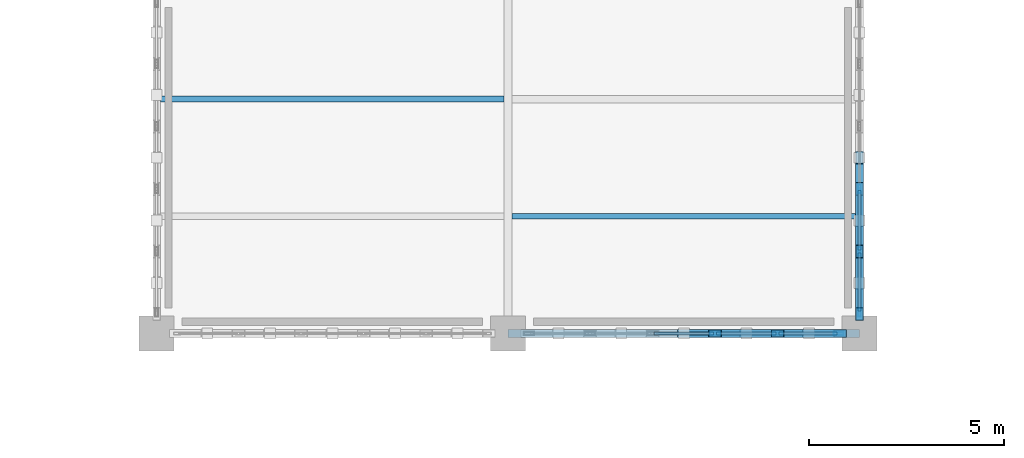
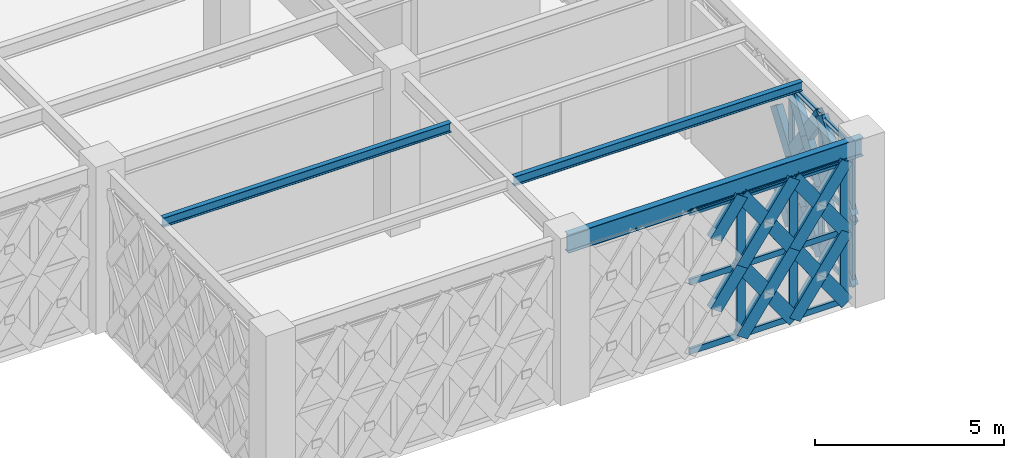
# One storey, part 15 of 155: 49 members, 3 beams, 2 elements without a shape of their own.
"""IFC4 building model written with IfcOpenShell, lengths in metres."""

from ifc_helpers import new_model, si_unit, direction, frame, origin, origin_2d, place, context, subcontext, project, spatial, hollow_rectangle, i_section, extrude, material, material_profile, profile_set, type_object, element, aggregate, save


model = new_model("IFC4")

# Units and contexts
model_context = context("Model", 3, precision=1e-05, world=origin(), true_north=direction((0.0, 1.0)))
body_context = subcontext(model_context, "Body", "Model", "MODEL_VIEW")
ifc_project = project(units=[si_unit("LENGTHUNIT", "METRE"), si_unit("AREAUNIT", "SQUARE_METRE"), si_unit("VOLUMEUNIT", "CUBIC_METRE"), si_unit("PLANEANGLEUNIT", "RADIAN"), si_unit("MASSUNIT", "GRAM", prefix="KILO")], contexts=[model_context])

# Site, building, storey
site_placement = place(None, origin())
site = spatial("IfcSite", under=ifc_project, at=site_placement, CompositionType="ELEMENT")
building_placement = place(site_placement, origin())
building = spatial("IfcBuilding", under=site, at=building_placement, Name="Haizhuo Lancet Aquarium", CompositionType="ELEMENT")
storey_placement = place(building_placement, frame((0.0, 0.0, 10.800048828125)))
storey = spatial("IfcBuildingStorey", under=building, at=storey_placement, Name="L02", CompositionType="ELEMENT", Elevation=10.800048828125)

# Beam
ifc_material_1 = material(Name="Steel S355", Category="steel")
ifc_material_profile_1 = material_profile(ifc_material_1, i_section(OverallWidth=0.199951171875, OverallDepth=0.60009765625, WebThickness=0.010986328125, FlangeThickness=0.01708984375, FilletRadius=0.02197265625, at=origin_2d()), Name="HN 600x200x11x17")
ifc_profile_set_1 = profile_set([ifc_material_profile_1], Name="Steel S355")
beam_type_1 = type_object("IfcBeamType", Name="BM-ST-HN600", PredefinedType="BEAM", material=ifc_profile_set_1)
beam_placement = place(storey_placement, frame((-45.0, -36.0, 4.85986328125), z_axis=(1.0, 0.0, 0.0), x_axis=(0.0, 1.0, 0.0)))
element("IfcBeam", 1, at=beam_placement, inside=storey, type_object=beam_type_1, Name="L02 V6 primary girder BM-L02-V6-022", PredefinedType="BEAM", context=body_context, shape_type="SweptSolid", body=[
    extrude(i_section(OverallWidth=0.199951171875, OverallDepth=0.60009765625, WebThickness=0.010986328125, FlangeThickness=0.01708984375, FilletRadius=0.02197265625, at=origin_2d()), origin(), (0.0, 0.0, 1.0), 9.0),
])

# Curtain wall, members
ifc_material_2 = material(Name="Aluminium 6063-T6", Category="aluminium")
curtain_wall_type = type_object("IfcCurtainWallType", Name="CWD-8010x4560", PredefinedType="NOTDEFINED", material=ifc_material_2)
curtain_wall_1_placement = place(storey_placement, origin())
curtain_wall_1 = element("IfcCurtainWall", 2, at=curtain_wall_1_placement, inside=storey, type_object=curtain_wall_type, Name="L02 curtain wall CW-V6-L02-221", PredefinedType="NOTDEFINED")
ifc_material_profile_2 = material_profile(ifc_material_2, hollow_rectangle(XDim=0.074951171875, YDim=0.219970703125, WallThickness=0.0048828125, at=origin_2d()), Name="ALU-M 75x220x5")
ifc_profile_set_2 = profile_set([ifc_material_profile_2], Name="Aluminium 6063-T6")
member_type_1 = type_object("IfcMemberType", Name="CW-MUL-2", PredefinedType="MULLION", material=ifc_profile_set_2)
member_1_placement = place(storey_placement, frame((-36.0, -32.301025390625, 0.0), z_axis=(0.0, 0.0, 1.0), x_axis=(1.0, 0.0, 0.0)))
member_1 = element("IfcMember", 3, at=member_1_placement, type_object=member_type_1, Name="CWD-80x45 mullion 4", PredefinedType="MULLION", context=body_context, shape_type="SweptSolid", body=[
    extrude(hollow_rectangle(XDim=0.074951171875, YDim=0.219970703125, WallThickness=0.0048828125, at=origin_2d()), origin(), (0.0, 0.0, 1.0), 4.56005859375),
])
member_2_placement = place(storey_placement, frame((-36.0, -33.903076171875, 0.0), z_axis=(0.0, 0.0, 1.0), x_axis=(1.0, 0.0, 0.0)))
member_2 = element("IfcMember", 4, at=member_2_placement, type_object=member_type_1, Name="CWD-80x45 mullion 5", PredefinedType="MULLION", context=body_context, shape_type="SweptSolid", body=[
    extrude(hollow_rectangle(XDim=0.074951171875, YDim=0.219970703125, WallThickness=0.0048828125, at=origin_2d()), origin(), (0.0, 0.0, 1.0), 4.56005859375),
])
member_3_placement = place(storey_placement, frame((-36.0, -35.468017578125, 0.0), z_axis=(0.0, 0.0, 1.0), x_axis=(1.0, 0.0, 0.0)))
member_3 = element("IfcMember", 5, at=member_3_placement, type_object=member_type_1, Name="CWD-80x45 mullion 6", PredefinedType="MULLION", context=body_context, shape_type="SweptSolid", body=[
    extrude(hollow_rectangle(XDim=0.074951171875, YDim=0.219970703125, WallThickness=0.0048828125, at=origin_2d()), origin(), (0.0, 0.0, 1.0), 4.56005859375),
])

curtain_wall_2_placement = place(storey_placement, origin())
curtain_wall_2 = element("IfcCurtainWall", 6, at=curtain_wall_2_placement, inside=storey, type_object=curtain_wall_type, Name="L02 curtain wall CW-V6-L02-222", PredefinedType="NOTDEFINED")
ifc_material_profile_3 = material_profile(ifc_material_2, hollow_rectangle(XDim=0.080078125, YDim=0.260009765625, WallThickness=0.0048828125, at=origin_2d()), Name="ALU-M 80x260x5")
ifc_profile_set_3 = profile_set([ifc_material_profile_3], Name="Aluminium 6063-T6")
member_type_2 = type_object("IfcMemberType", Name="CW-MUL-3", PredefinedType="MULLION", material=ifc_profile_set_3)
member_4_placement = place(storey_placement, frame((-36.534912109375, -36.0, 0.0), z_axis=(0.0, 0.0, 1.0), x_axis=(0.0, -1.0, 0.0)))
member_4 = element("IfcMember", 7, at=member_4_placement, type_object=member_type_2, Name="CWD-80x45 mullion 1", PredefinedType="MULLION", context=body_context, shape_type="SweptSolid", body=[
    extrude(hollow_rectangle(XDim=0.080078125, YDim=0.260009765625, WallThickness=0.0048828125, at=origin_2d()), origin(), (0.0, 0.0, 1.0), 4.56005859375),
])
member_5_placement = place(storey_placement, frame((-38.096923828125, -36.0, 0.0), z_axis=(0.0, 0.0, 1.0), x_axis=(0.0, -1.0, 0.0)))
member_5 = element("IfcMember", 8, at=member_5_placement, type_object=member_type_2, Name="CWD-80x45 mullion 2", PredefinedType="MULLION", context=body_context, shape_type="SweptSolid", body=[
    extrude(hollow_rectangle(XDim=0.080078125, YDim=0.260009765625, WallThickness=0.0048828125, at=origin_2d()), origin(), (0.0, 0.0, 1.0), 4.56005859375),
])
member_6_placement = place(storey_placement, frame((-39.698974609375, -36.0, 0.0), z_axis=(0.0, 0.0, 1.0), x_axis=(0.0, -1.0, 0.0)))
member_6 = element("IfcMember", 9, at=member_6_placement, type_object=member_type_2, Name="CWD-80x45 mullion 3", PredefinedType="MULLION", context=body_context, shape_type="SweptSolid", body=[
    extrude(hollow_rectangle(XDim=0.080078125, YDim=0.260009765625, WallThickness=0.0048828125, at=origin_2d()), origin(), (0.0, 0.0, 1.0), 4.56005859375),
])

# Member
ifc_material_profile_4 = material_profile(ifc_material_2, hollow_rectangle(XDim=0.074951171875, YDim=0.159912109375, WallThickness=0.00390625, at=origin_2d()), Name="ALU-T 75x160x4")
ifc_profile_set_4 = profile_set([ifc_material_profile_4], Name="Aluminium 6063-T6")
member_type_3 = type_object("IfcMemberType", Name="CW-TRN-2", PredefinedType="NOTDEFINED", material=ifc_profile_set_4)
member_7_placement = place(storey_placement, frame((-36.0, -32.339111328125, 0.037841796875), z_axis=(0.0, -1.0, 0.0), x_axis=(1.0, 0.0, 0.0)))
member_7 = element("IfcMember", 10, at=member_7_placement, type_object=member_type_3, Name="CWD-80x45 transom 4.1", ObjectType="TRANSOM", PredefinedType="USERDEFINED", context=body_context, shape_type="SweptSolid", body=[
    extrude(hollow_rectangle(XDim=0.074951171875, YDim=0.159912109375, WallThickness=0.00390625, at=origin_2d()), origin(), (0.0, 0.0, 1.0), 1.52685546875),
])

member_8_placement = place(storey_placement, frame((-36.0, -32.339111328125, 2.280029296875), z_axis=(0.0, -1.0, 0.0), x_axis=(1.0, 0.0, 0.0)))
member_8 = element("IfcMember", 11, at=member_8_placement, type_object=member_type_3, Name="CWD-80x45 transom 4.2", ObjectType="TRANSOM", PredefinedType="USERDEFINED", context=body_context, shape_type="SweptSolid", body=[
    extrude(hollow_rectangle(XDim=0.074951171875, YDim=0.159912109375, WallThickness=0.00390625, at=origin_2d()), origin(), (0.0, 0.0, 1.0), 1.52685546875),
])

member_9_placement = place(storey_placement, frame((-36.0, -32.339111328125, 4.52197265625), z_axis=(0.0, -1.0, 0.0), x_axis=(1.0, 0.0, 0.0)))
member_9 = element("IfcMember", 12, at=member_9_placement, type_object=member_type_3, Name="CWD-80x45 transom 4.3", ObjectType="TRANSOM", PredefinedType="USERDEFINED", context=body_context, shape_type="SweptSolid", body=[
    extrude(hollow_rectangle(XDim=0.074951171875, YDim=0.159912109375, WallThickness=0.00390625, at=origin_2d()), origin(), (0.0, 0.0, 1.0), 1.52685546875),
])

member_10_placement = place(storey_placement, frame((-36.0, -33.94091796875, 0.037841796875), z_axis=(0.0, -1.0, 0.0), x_axis=(1.0, 0.0, 0.0)))
member_10 = element("IfcMember", 13, at=member_10_placement, type_object=member_type_3, Name="CWD-80x45 transom 5.1", ObjectType="TRANSOM", PredefinedType="USERDEFINED", context=body_context, shape_type="SweptSolid", body=[
    extrude(hollow_rectangle(XDim=0.074951171875, YDim=0.159912109375, WallThickness=0.00390625, at=origin_2d()), origin(), (0.0, 0.0, 1.0), 1.489013671875),
])

member_11_placement = place(storey_placement, frame((-36.0, -33.94091796875, 2.280029296875), z_axis=(0.0, -1.0, 0.0), x_axis=(1.0, 0.0, 0.0)))
member_11 = element("IfcMember", 14, at=member_11_placement, type_object=member_type_3, Name="CWD-80x45 transom 5.2", ObjectType="TRANSOM", PredefinedType="USERDEFINED", context=body_context, shape_type="SweptSolid", body=[
    extrude(hollow_rectangle(XDim=0.074951171875, YDim=0.159912109375, WallThickness=0.00390625, at=origin_2d()), origin(), (0.0, 0.0, 1.0), 1.489013671875),
])

member_12_placement = place(storey_placement, frame((-36.0, -33.94091796875, 4.52197265625), z_axis=(0.0, -1.0, 0.0), x_axis=(1.0, 0.0, 0.0)))
member_12 = element("IfcMember", 15, at=member_12_placement, type_object=member_type_3, Name="CWD-80x45 transom 5.3", ObjectType="TRANSOM", PredefinedType="USERDEFINED", context=body_context, shape_type="SweptSolid", body=[
    extrude(hollow_rectangle(XDim=0.074951171875, YDim=0.159912109375, WallThickness=0.00390625, at=origin_2d()), origin(), (0.0, 0.0, 1.0), 1.489013671875),
])

aggregate(curtain_wall_1, [member_1, member_2, member_3, member_7, member_8, member_9, member_10, member_11, member_12])

ifc_material_profile_5 = material_profile(ifc_material_2, hollow_rectangle(XDim=0.080078125, YDim=0.18994140625, WallThickness=0.0048828125, at=origin_2d()), Name="ALU-T 80x190x5")
ifc_profile_set_5 = profile_set([ifc_material_profile_5], Name="Aluminium 6063-T6")
member_type_4 = type_object("IfcMemberType", Name="CW-TRN-3", PredefinedType="NOTDEFINED", material=ifc_profile_set_5)
member_13_placement = place(storey_placement, frame((-36.574951171875, -36.0, 0.0400390625), z_axis=(-1.0, 0.0, 0.0), x_axis=(0.0, -1.0, 0.0)))
member_13 = element("IfcMember", 16, at=member_13_placement, type_object=member_type_4, Name="CWD-80x45 transom 1.1", ObjectType="TRANSOM", PredefinedType="USERDEFINED", context=body_context, shape_type="SweptSolid", body=[
    extrude(hollow_rectangle(XDim=0.080078125, YDim=0.18994140625, WallThickness=0.0048828125, at=origin_2d()), origin(), (0.0, 0.0, 1.0), 1.48193359375),
])

member_14_placement = place(storey_placement, frame((-36.574951171875, -36.0, 2.280029296875), z_axis=(-1.0, 0.0, 0.0), x_axis=(0.0, -1.0, 0.0)))
member_14 = element("IfcMember", 17, at=member_14_placement, type_object=member_type_4, Name="CWD-80x45 transom 1.2", ObjectType="TRANSOM", PredefinedType="USERDEFINED", context=body_context, shape_type="SweptSolid", body=[
    extrude(hollow_rectangle(XDim=0.080078125, YDim=0.18994140625, WallThickness=0.0048828125, at=origin_2d()), origin(), (0.0, 0.0, 1.0), 1.48193359375),
])

member_15_placement = place(storey_placement, frame((-36.574951171875, -36.0, 4.52001953125), z_axis=(-1.0, 0.0, 0.0), x_axis=(0.0, -1.0, 0.0)))
member_15 = element("IfcMember", 18, at=member_15_placement, type_object=member_type_4, Name="CWD-80x45 transom 1.3", ObjectType="TRANSOM", PredefinedType="USERDEFINED", context=body_context, shape_type="SweptSolid", body=[
    extrude(hollow_rectangle(XDim=0.080078125, YDim=0.18994140625, WallThickness=0.0048828125, at=origin_2d()), origin(), (0.0, 0.0, 1.0), 1.48193359375),
])

member_16_placement = place(storey_placement, frame((-38.136962890625, -36.0, 0.0400390625), z_axis=(-1.0, 0.0, 0.0), x_axis=(0.0, -1.0, 0.0)))
member_16 = element("IfcMember", 19, at=member_16_placement, type_object=member_type_4, Name="CWD-80x45 transom 2.1", ObjectType="TRANSOM", PredefinedType="USERDEFINED", context=body_context, shape_type="SweptSolid", body=[
    extrude(hollow_rectangle(XDim=0.080078125, YDim=0.18994140625, WallThickness=0.0048828125, at=origin_2d()), origin(), (0.0, 0.0, 1.0), 1.52197265625),
])

member_17_placement = place(storey_placement, frame((-38.136962890625, -36.0, 2.280029296875), z_axis=(-1.0, 0.0, 0.0), x_axis=(0.0, -1.0, 0.0)))
member_17 = element("IfcMember", 20, at=member_17_placement, type_object=member_type_4, Name="CWD-80x45 transom 2.2", ObjectType="TRANSOM", PredefinedType="USERDEFINED", context=body_context, shape_type="SweptSolid", body=[
    extrude(hollow_rectangle(XDim=0.080078125, YDim=0.18994140625, WallThickness=0.0048828125, at=origin_2d()), origin(), (0.0, 0.0, 1.0), 1.52197265625),
])

member_18_placement = place(storey_placement, frame((-38.136962890625, -36.0, 4.52001953125), z_axis=(-1.0, 0.0, 0.0), x_axis=(0.0, -1.0, 0.0)))
member_18 = element("IfcMember", 21, at=member_18_placement, type_object=member_type_4, Name="CWD-80x45 transom 2.3", ObjectType="TRANSOM", PredefinedType="USERDEFINED", context=body_context, shape_type="SweptSolid", body=[
    extrude(hollow_rectangle(XDim=0.080078125, YDim=0.18994140625, WallThickness=0.0048828125, at=origin_2d()), origin(), (0.0, 0.0, 1.0), 1.52197265625),
])

member_19_placement = place(storey_placement, frame((-39.739013671875, -36.0, 0.0400390625), z_axis=(-1.0, 0.0, 0.0), x_axis=(0.0, -1.0, 0.0)))
member_19 = element("IfcMember", 22, at=member_19_placement, type_object=member_type_4, Name="CWD-80x45 transom 3.1", ObjectType="TRANSOM", PredefinedType="USERDEFINED", context=body_context, shape_type="SweptSolid", body=[
    extrude(hollow_rectangle(XDim=0.080078125, YDim=0.18994140625, WallThickness=0.0048828125, at=origin_2d()), origin(), (0.0, 0.0, 1.0), 1.52197265625),
])

member_20_placement = place(storey_placement, frame((-39.739013671875, -36.0, 2.280029296875), z_axis=(-1.0, 0.0, 0.0), x_axis=(0.0, -1.0, 0.0)))
member_20 = element("IfcMember", 23, at=member_20_placement, type_object=member_type_4, Name="CWD-80x45 transom 3.2", ObjectType="TRANSOM", PredefinedType="USERDEFINED", context=body_context, shape_type="SweptSolid", body=[
    extrude(hollow_rectangle(XDim=0.080078125, YDim=0.18994140625, WallThickness=0.0048828125, at=origin_2d()), origin(), (0.0, 0.0, 1.0), 1.52197265625),
])

member_21_placement = place(storey_placement, frame((-39.739013671875, -36.0, 4.52001953125), z_axis=(-1.0, 0.0, 0.0), x_axis=(0.0, -1.0, 0.0)))
member_21 = element("IfcMember", 24, at=member_21_placement, type_object=member_type_4, Name="CWD-80x45 transom 3.3", ObjectType="TRANSOM", PredefinedType="USERDEFINED", context=body_context, shape_type="SweptSolid", body=[
    extrude(hollow_rectangle(XDim=0.080078125, YDim=0.18994140625, WallThickness=0.0048828125, at=origin_2d()), origin(), (0.0, 0.0, 1.0), 1.52197265625),
])

aggregate(curtain_wall_2, [member_4, member_5, member_6, member_13, member_14, member_15, member_16, member_17, member_18, member_19, member_20, member_21])

# Beams
ifc_material_profile_6 = material_profile(ifc_material_1, i_section(OverallWidth=0.14990234375, OverallDepth=0.300048828125, WebThickness=0.006591796875, FlangeThickness=0.009033203125, FilletRadius=0.012939453125, at=origin_2d()), Name="HN 300x150x6.5x9")
ifc_profile_set_6 = profile_set([ifc_material_profile_6], Name="Steel S355")
beam_type_2 = type_object("IfcBeamType", Name="JST-ST-HN300", PredefinedType="JOIST", material=ifc_profile_set_6)
for number, where, z_axis, x_axis, name in (
    (25, (-53.89990234375, -30.0, 5.010009765625), (1.0, 0.0, 0.0), (0.0, 1.0, 0.0), "L02 V6 secondary floor joist 11"),
    (26, (-44.89990234375, -33.0, 5.010009765625), (1.0, 0.0, 0.0), (0.0, 1.0, 0.0), "L02 V6 secondary floor joist 16"),
):
    element("IfcBeam", number, at=place(storey_placement, frame(where, z_axis=z_axis, x_axis=x_axis)), inside=storey, type_object=beam_type_2, Name=name, PredefinedType="JOIST", context=body_context, shape_type="SweptSolid", body=[
        extrude(i_section(OverallWidth=0.14990234375, OverallDepth=0.300048828125, WebThickness=0.006591796875, FlangeThickness=0.009033203125, FilletRadius=0.012939453125, at=origin_2d()), origin(), (0.0, 0.0, 1.0), 8.7998046875),
    ])

# Members
ifc_material_profile_7 = material_profile(ifc_material_1, hollow_rectangle(XDim=0.199951171875, YDim=0.39990234375, WallThickness=0.011962890625, at=origin_2d()), Name="RHS 200x400x12")
ifc_profile_set_7 = profile_set([ifc_material_profile_7], Name="Steel S355")
member_type_5 = type_object("IfcMemberType", Name="MEM-LB-RHS200x400", PredefinedType="BRACE", material=ifc_profile_set_7)
for number, where, z_axis, x_axis, name in (
    (27, (-36.0, -32.301025390625, 0.0), (0.0, 0.574955028356, 0.818185012921), (-1.0, 0.0, 0.0), "Gothic lancet split diagonal brace CW-V6-L02-221 5B1"),
    (28, (-36.0, -32.301025390625, 2.280029296875), (0.0, 0.574955028356, 0.818185012921), (-1.0, 0.0, 0.0), "Gothic lancet split diagonal brace CW-V6-L02-221 6B1"),
):
    element("IfcMember", number, at=place(storey_placement, frame(where, z_axis=z_axis, x_axis=x_axis)), inside=storey, type_object=member_type_5, Name=name, PredefinedType="BRACE", context=body_context, shape_type="SweptSolid", body=[
        extrude(hollow_rectangle(XDim=0.199951171875, YDim=0.39990234375, WallThickness=0.011962890625, at=origin_2d()), origin(), (0.0, 0.0, 1.0), 1.393310546875),
    ])
member_22_placement = place(storey_placement, frame((-36.0, -32.301025390625, 0.0), z_axis=(0.0, -0.574913812948, 0.818213974264), x_axis=(1.0, 0.0, 0.0)))
element("IfcMember", 29, at=member_22_placement, inside=storey, type_object=member_type_5, Name="Gothic lancet continuous diagonal brace CW-V6-L02-221 7A", PredefinedType="BRACE", context=body_context, shape_type="SweptSolid", body=[
    extrude(hollow_rectangle(XDim=0.199951171875, YDim=0.39990234375, WallThickness=0.011962890625, at=origin_2d()), origin(), (0.0, 0.0, 1.0), 2.78662109375),
])
for number, where, z_axis, x_axis, name in (
    (30, (-36.0, -33.903076171875, 0.0), (0.0, 0.574955028356, 0.818185012921), (-1.0, 0.0, 0.0), "Gothic lancet split diagonal brace CW-V6-L02-221 7B1"),
    (31, (-36.0, -33.10205078125, 1.139892578125), (0.0, 0.574872601991, 0.81824292938), (-1.0, 0.0, 0.0), "Gothic lancet split diagonal brace CW-V6-L02-221 7B2"),
):
    element("IfcMember", number, at=place(storey_placement, frame(where, z_axis=z_axis, x_axis=x_axis)), inside=storey, type_object=member_type_5, Name=name, PredefinedType="BRACE", context=body_context, shape_type="SweptSolid", body=[
        extrude(hollow_rectangle(XDim=0.199951171875, YDim=0.39990234375, WallThickness=0.011962890625, at=origin_2d()), origin(), (0.0, 0.0, 1.0), 1.393310546875),
    ])
member_23_placement = place(storey_placement, frame((-36.0, -32.301025390625, 2.280029296875), z_axis=(0.0, -0.574913812948, 0.818213974264), x_axis=(1.0, 0.0, 0.0)))
element("IfcMember", 32, at=member_23_placement, inside=storey, type_object=member_type_5, Name="Gothic lancet continuous diagonal brace CW-V6-L02-221 8A", PredefinedType="BRACE", context=body_context, shape_type="SweptSolid", body=[
    extrude(hollow_rectangle(XDim=0.199951171875, YDim=0.39990234375, WallThickness=0.011962890625, at=origin_2d()), origin(), (0.0, 0.0, 1.0), 2.78662109375),
])
for number, where, z_axis, x_axis, name in (
    (33, (-36.0, -33.903076171875, 2.280029296875), (0.0, 0.574955028356, 0.818185012921), (-1.0, 0.0, 0.0), "Gothic lancet split diagonal brace CW-V6-L02-221 8B1"),
    (34, (-36.0, -33.10205078125, 3.419921875), (0.0, 0.574872601991, 0.81824292938), (-1.0, 0.0, 0.0), "Gothic lancet split diagonal brace CW-V6-L02-221 8B2"),
):
    element("IfcMember", number, at=place(storey_placement, frame(where, z_axis=z_axis, x_axis=x_axis)), inside=storey, type_object=member_type_5, Name=name, PredefinedType="BRACE", context=body_context, shape_type="SweptSolid", body=[
        extrude(hollow_rectangle(XDim=0.199951171875, YDim=0.39990234375, WallThickness=0.011962890625, at=origin_2d()), origin(), (0.0, 0.0, 1.0), 1.393310546875),
    ])
member_24_placement = place(storey_placement, frame((-36.0, -33.903076171875, 0.0), z_axis=(0.0, -0.574855154156, 0.81825518742), x_axis=(1.0, 0.0, 0.0)))
element("IfcMember", 35, at=member_24_placement, inside=storey, type_object=member_type_5, Name="Gothic lancet continuous diagonal brace CW-V6-L02-221 9A", PredefinedType="BRACE", context=body_context, shape_type="SweptSolid", body=[
    extrude(hollow_rectangle(XDim=0.199951171875, YDim=0.39990234375, WallThickness=0.011962890625, at=origin_2d()), origin(), (0.0, 0.0, 1.0), 2.786376953125),
])
member_25_placement = place(storey_placement, frame((-36.0, -35.5048828125, 0.0), z_axis=(0.0, 0.5748377018, 0.818267448081), x_axis=(-1.0, 0.0, 0.0)))
element("IfcMember", 36, at=member_25_placement, inside=storey, type_object=member_type_5, Name="Gothic lancet split diagonal brace CW-V6-L02-221 9B1", PredefinedType="BRACE", context=body_context, shape_type="SweptSolid", body=[
    extrude(hollow_rectangle(XDim=0.199951171875, YDim=0.39990234375, WallThickness=0.011962890625, at=origin_2d()), origin(), (0.0, 0.0, 1.0), 1.39306640625),
])
member_26_placement = place(storey_placement, frame((-36.0, -34.7041015625, 1.139892578125), z_axis=(0.0, 0.574872601991, 0.81824292938), x_axis=(-1.0, 0.0, 0.0)))
element("IfcMember", 37, at=member_26_placement, inside=storey, type_object=member_type_5, Name="Gothic lancet split diagonal brace CW-V6-L02-221 9B2", PredefinedType="BRACE", context=body_context, shape_type="SweptSolid", body=[
    extrude(hollow_rectangle(XDim=0.199951171875, YDim=0.39990234375, WallThickness=0.011962890625, at=origin_2d()), origin(), (0.0, 0.0, 1.0), 1.393310546875),
])
member_27_placement = place(storey_placement, frame((-36.0, -33.903076171875, 2.280029296875), z_axis=(0.0, -0.574855154156, 0.81825518742), x_axis=(1.0, 0.0, 0.0)))
element("IfcMember", 38, at=member_27_placement, inside=storey, type_object=member_type_5, Name="Gothic lancet continuous diagonal brace CW-V6-L02-221 10A", PredefinedType="BRACE", context=body_context, shape_type="SweptSolid", body=[
    extrude(hollow_rectangle(XDim=0.199951171875, YDim=0.39990234375, WallThickness=0.011962890625, at=origin_2d()), origin(), (0.0, 0.0, 1.0), 2.786376953125),
])
member_28_placement = place(storey_placement, frame((-36.0, -35.5048828125, 2.280029296875), z_axis=(0.0, 0.5748377018, 0.818267448081), x_axis=(-1.0, 0.0, 0.0)))
element("IfcMember", 39, at=member_28_placement, inside=storey, type_object=member_type_5, Name="Gothic lancet split diagonal brace CW-V6-L02-221 10B1", PredefinedType="BRACE", context=body_context, shape_type="SweptSolid", body=[
    extrude(hollow_rectangle(XDim=0.199951171875, YDim=0.39990234375, WallThickness=0.011962890625, at=origin_2d()), origin(), (0.0, 0.0, 1.0), 1.39306640625),
])
member_29_placement = place(storey_placement, frame((-36.0, -34.7041015625, 3.419921875), z_axis=(0.0, 0.574872601991, 0.81824292938), x_axis=(-1.0, 0.0, 0.0)))
element("IfcMember", 40, at=member_29_placement, inside=storey, type_object=member_type_5, Name="Gothic lancet split diagonal brace CW-V6-L02-221 10B2", PredefinedType="BRACE", context=body_context, shape_type="SweptSolid", body=[
    extrude(hollow_rectangle(XDim=0.199951171875, YDim=0.39990234375, WallThickness=0.011962890625, at=origin_2d()), origin(), (0.0, 0.0, 1.0), 1.393310546875),
])
member_30_placement = place(storey_placement, frame((-36.4951171875, -36.0, 0.0), z_axis=(-0.574855154156, 0.0, 0.81825518742), x_axis=(0.0, -1.0, 0.0)))
element("IfcMember", 41, at=member_30_placement, inside=storey, type_object=member_type_5, Name="Gothic lancet continuous diagonal brace CW-V6-L02-222 1A", PredefinedType="BRACE", context=body_context, shape_type="SweptSolid", body=[
    extrude(hollow_rectangle(XDim=0.199951171875, YDim=0.39990234375, WallThickness=0.011962890625, at=origin_2d()), origin(), (0.0, 0.0, 1.0), 2.786376953125),
])
for number, where, z_axis, x_axis, name in (
    (42, (-38.096923828125, -36.0, 0.0), (0.574955028356, 0.0, 0.818185012921), (0.0, 1.0, 0.0), "Gothic lancet split diagonal brace CW-V6-L02-222 1B1"),
    (43, (-37.2958984375, -36.0, 1.139892578125), (0.574755275652, 0.0, 0.818325346736), (0.0, 1.0, 0.0), "Gothic lancet split diagonal brace CW-V6-L02-222 1B2"),
):
    element("IfcMember", number, at=place(storey_placement, frame(where, z_axis=z_axis, x_axis=x_axis)), inside=storey, type_object=member_type_5, Name=name, PredefinedType="BRACE", context=body_context, shape_type="SweptSolid", body=[
        extrude(hollow_rectangle(XDim=0.199951171875, YDim=0.39990234375, WallThickness=0.011962890625, at=origin_2d()), origin(), (0.0, 0.0, 1.0), 1.393310546875),
    ])
member_31_placement = place(storey_placement, frame((-36.4951171875, -36.0, 2.280029296875), z_axis=(-0.574855154156, 0.0, 0.81825518742), x_axis=(0.0, -1.0, 0.0)))
element("IfcMember", 44, at=member_31_placement, inside=storey, type_object=member_type_5, Name="Gothic lancet continuous diagonal brace CW-V6-L02-222 2A", PredefinedType="BRACE", context=body_context, shape_type="SweptSolid", body=[
    extrude(hollow_rectangle(XDim=0.199951171875, YDim=0.39990234375, WallThickness=0.011962890625, at=origin_2d()), origin(), (0.0, 0.0, 1.0), 2.786376953125),
])
for number, where, z_axis, x_axis, name in (
    (45, (-38.096923828125, -36.0, 2.280029296875), (0.574955028356, 0.0, 0.818185012921), (0.0, 1.0, 0.0), "Gothic lancet split diagonal brace CW-V6-L02-222 2B1"),
    (46, (-37.2958984375, -36.0, 3.419921875), (0.574755275652, 0.0, 0.818325346736), (0.0, 1.0, 0.0), "Gothic lancet split diagonal brace CW-V6-L02-222 2B2"),
):
    element("IfcMember", number, at=place(storey_placement, frame(where, z_axis=z_axis, x_axis=x_axis)), inside=storey, type_object=member_type_5, Name=name, PredefinedType="BRACE", context=body_context, shape_type="SweptSolid", body=[
        extrude(hollow_rectangle(XDim=0.199951171875, YDim=0.39990234375, WallThickness=0.011962890625, at=origin_2d()), origin(), (0.0, 0.0, 1.0), 1.393310546875),
    ])
member_32_placement = place(storey_placement, frame((-38.096923828125, -36.0, 0.0), z_axis=(-0.574913812948, 0.0, 0.818213974264), x_axis=(0.0, -1.0, 0.0)))
element("IfcMember", 47, at=member_32_placement, inside=storey, type_object=member_type_5, Name="Gothic lancet continuous diagonal brace CW-V6-L02-222 3A", PredefinedType="BRACE", context=body_context, shape_type="SweptSolid", body=[
    extrude(hollow_rectangle(XDim=0.199951171875, YDim=0.39990234375, WallThickness=0.011962890625, at=origin_2d()), origin(), (0.0, 0.0, 1.0), 2.78662109375),
])
for number, where, z_axis, x_axis, name in (
    (48, (-39.698974609375, -36.0, 0.0), (0.574955028356, 0.0, 0.818185012921), (0.0, 1.0, 0.0), "Gothic lancet split diagonal brace CW-V6-L02-222 3B1"),
    (49, (-38.89794921875, -36.0, 1.139892578125), (0.574872601991, 0.0, 0.81824292938), (0.0, 1.0, 0.0), "Gothic lancet split diagonal brace CW-V6-L02-222 3B2"),
):
    element("IfcMember", number, at=place(storey_placement, frame(where, z_axis=z_axis, x_axis=x_axis)), inside=storey, type_object=member_type_5, Name=name, PredefinedType="BRACE", context=body_context, shape_type="SweptSolid", body=[
        extrude(hollow_rectangle(XDim=0.199951171875, YDim=0.39990234375, WallThickness=0.011962890625, at=origin_2d()), origin(), (0.0, 0.0, 1.0), 1.393310546875),
    ])
member_33_placement = place(storey_placement, frame((-38.096923828125, -36.0, 2.280029296875), z_axis=(-0.574913812948, 0.0, 0.818213974264), x_axis=(0.0, -1.0, 0.0)))
element("IfcMember", 50, at=member_33_placement, inside=storey, type_object=member_type_5, Name="Gothic lancet continuous diagonal brace CW-V6-L02-222 4A", PredefinedType="BRACE", context=body_context, shape_type="SweptSolid", body=[
    extrude(hollow_rectangle(XDim=0.199951171875, YDim=0.39990234375, WallThickness=0.011962890625, at=origin_2d()), origin(), (0.0, 0.0, 1.0), 2.78662109375),
])
for number, where, z_axis, x_axis, name in (
    (51, (-39.698974609375, -36.0, 2.280029296875), (0.574955028356, 0.0, 0.818185012921), (0.0, 1.0, 0.0), "Gothic lancet split diagonal brace CW-V6-L02-222 4B1"),
    (52, (-38.89794921875, -36.0, 3.419921875), (0.574872601991, 0.0, 0.81824292938), (0.0, 1.0, 0.0), "Gothic lancet split diagonal brace CW-V6-L02-222 4B2"),
    (53, (-40.5, -36.0, 1.139892578125), (0.574872601991, 0.0, 0.81824292938), (0.0, 1.0, 0.0), "Gothic lancet split diagonal brace CW-V6-L02-222 5B2"),
    (54, (-40.5, -36.0, 3.419921875), (0.574872601991, 0.0, 0.81824292938), (0.0, 1.0, 0.0), "Gothic lancet split diagonal brace CW-V6-L02-222 6B2"),
):
    element("IfcMember", number, at=place(storey_placement, frame(where, z_axis=z_axis, x_axis=x_axis)), inside=storey, type_object=member_type_5, Name=name, PredefinedType="BRACE", context=body_context, shape_type="SweptSolid", body=[
        extrude(hollow_rectangle(XDim=0.199951171875, YDim=0.39990234375, WallThickness=0.011962890625, at=origin_2d()), origin(), (0.0, 0.0, 1.0), 1.393310546875),
    ])

save(model, "model.ifc")
